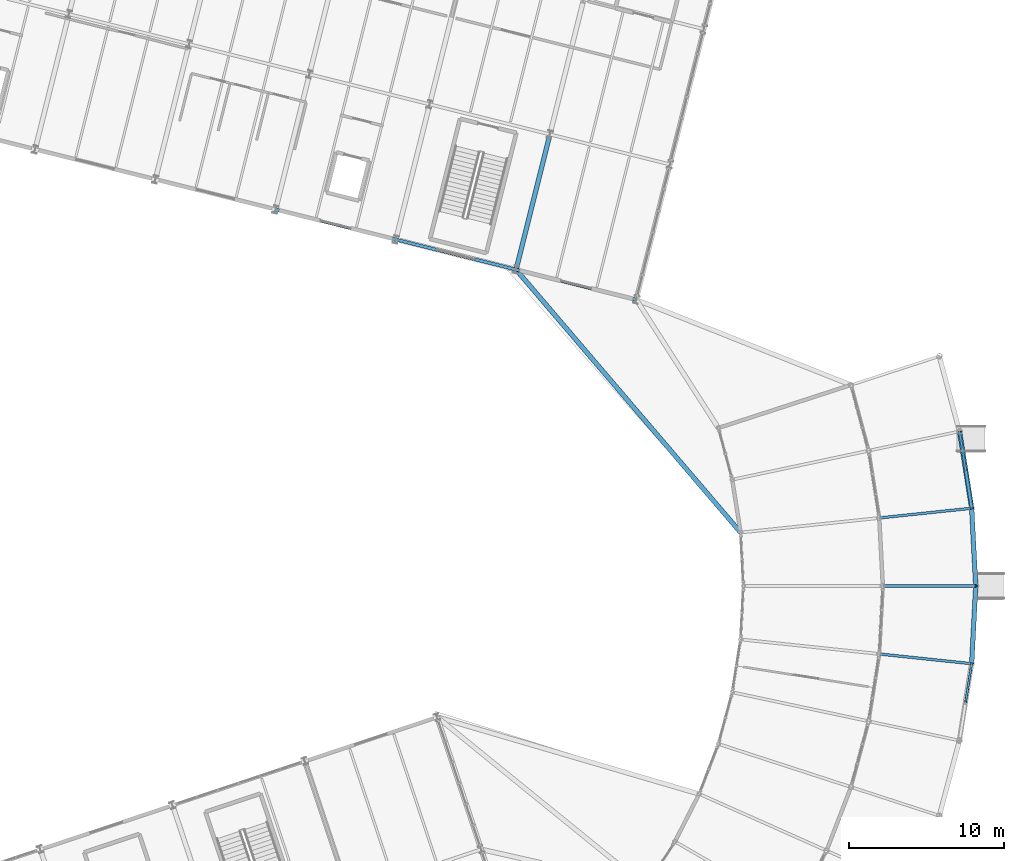
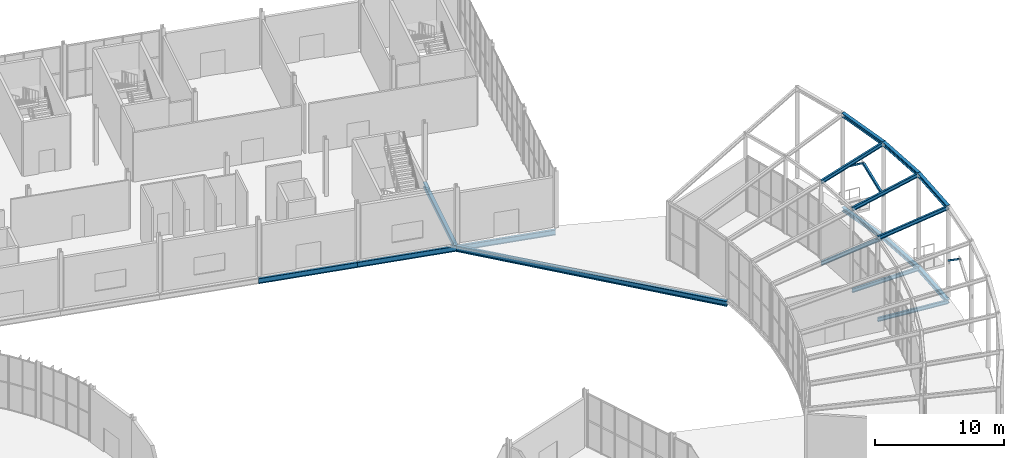
# One storey, part 94 of 158: 17 beams, 3 members.
"""IFC4 building model written with IfcOpenShell, lengths in metres."""

import ifcopenshell
import ifcopenshell.guid

model = None  # the IFC model being written
_history = None  # IfcOwnerHistory: only IFC2X3 demands one
_inside = {}  # id of a spatial element -> (the spatial element, [elements in it])
_under = {}  # id of a project, library or spatial element -> (it, [spatial elements below it])
_declared = {}  # id of a project -> (the project, [libraries it declares])
_typed = {}  # id of a type object -> (the type object, [elements of that type])
_made_of = {}  # id of a material, layer set ... -> (it, [elements and type objects made of it])


def new_model(schema):
    """Start an empty IFC model of exactly this schema.

    Asked for "IFC4X3", IfcOpenShell would pick the latest addendum, in which some entities
    have other attributes; the version numbers below select the first issue.
    IFC2X3 requires an IfcOwnerHistory on every rooted entity: one is made here for all.
    """
    global model, _history
    if schema == "IFC4X3":
        model = ifcopenshell.file(schema_version=(4, 3, 0, 0))
    else:
        model = ifcopenshell.file(schema=schema)
    _inside.clear()
    _under.clear()
    _declared.clear()
    _typed.clear()
    _made_of.clear()
    _history = None
    if model.schema == "IFC2X3":
        org = make("IfcOrganization", Name="unknown")
        user = make(
            "IfcPersonAndOrganization",
            ThePerson=make("IfcPerson", FamilyName="unknown"),
            TheOrganization=org,
        )
        app = make(
            "IfcApplication",
            ApplicationDeveloper=org,
            Version="unknown",
            ApplicationFullName="unknown",
            ApplicationIdentifier="unknown",
        )
        _history = make(
            "IfcOwnerHistory",
            OwningUser=user,
            OwningApplication=app,
            ChangeAction="ADDED",
            CreationDate=0,
        )
    return model


def make(cls, **values):
    """One entity of the class cls with the attributes given. An attribute that is None is left unset."""
    return model.create_entity(
        cls, **{name: value for name, value in values.items() if value is not None}
    )


def rooted(cls, **values):
    """An entity with a GlobalId (a new one), such as an element, a storey or a relation."""
    return make(cls, GlobalId=ifcopenshell.guid.new(), OwnerHistory=_history, **values)


def si_unit(unit_type, name, prefix=None):
    """IfcSIUnit, for example si_unit("LENGTHUNIT", "METRE", prefix="MILLI")."""
    return make("IfcSIUnit", UnitType=unit_type, Prefix=prefix, Name=name)


def derived_unit(unit_type, elements):
    """IfcDerivedUnit: a product of units, each with its exponent."""
    return make(
        "IfcDerivedUnit",
        Elements=[
            make("IfcDerivedUnitElement", Unit=unit, Exponent=power)
            for unit, power in elements
        ],
        UnitType=unit_type,
    )


def assignment(units):
    """IfcUnitAssignment: the units of a project."""
    return None if units is None else make("IfcUnitAssignment", Units=units)


def point(xyz):
    """IfcCartesianPoint."""
    return None if xyz is None else make("IfcCartesianPoint", Coordinates=xyz)


def direction(xyz):
    """IfcDirection."""
    return None if xyz is None else make("IfcDirection", DirectionRatios=xyz)


def frame(location, z_axis=None, x_axis=None):
    """IfcAxis2Placement3D, a coordinate frame: its origin and axes. An axis left out is left unset."""
    return make(
        "IfcAxis2Placement3D",
        Location=point(location),
        Axis=direction(z_axis),
        RefDirection=direction(x_axis),
    )


def frame_2d(location, x_axis=None):
    """IfcAxis2Placement2D, a coordinate frame in the plane: its origin and x axis."""
    return make(
        "IfcAxis2Placement2D", Location=point(location), RefDirection=direction(x_axis)
    )


def origin():
    """The frame at (0, 0, 0) with its axes left unset."""
    return frame((0.0, 0.0, 0.0))


def origin_2d():
    """The frame at (0, 0) in the plane with its x axis left unset."""
    return frame_2d((0.0, 0.0))


def place(relative_to, where):
    """IfcLocalPlacement: puts the frame where relative to a parent placement (None: the world)."""
    return make(
        "IfcLocalPlacement", PlacementRelTo=relative_to, RelativePlacement=where
    )


def context(
    kind, dimensions, precision=None, world=None, true_north=None, identifier=None
):
    """IfcGeometricRepresentationContext, for example the 3D "Model" context."""
    return make(
        "IfcGeometricRepresentationContext",
        ContextIdentifier=identifier,
        ContextType=kind,
        CoordinateSpaceDimension=dimensions,
        Precision=precision,
        WorldCoordinateSystem=world,
        TrueNorth=true_north,
    )


def subcontext(parent, identifier, kind, view, scale=None):
    """IfcGeometricRepresentationSubContext, for example "Body" below "Model"."""
    return make(
        "IfcGeometricRepresentationSubContext",
        ContextIdentifier=identifier,
        ContextType=kind,
        ParentContext=parent,
        TargetScale=scale,
        TargetView=view,
    )


def project(units=None, contexts=None):
    """IfcProject with its units and contexts."""
    return rooted(
        "IfcProject",
        Name="project",
        RepresentationContexts=contexts,
        UnitsInContext=assignment(units),
    )


def spatial(cls, under=None, at=None, **own):
    """A site, building, storey or space (cls), placed at a placement, below another one or the project."""
    s = rooted(cls, ObjectPlacement=at, **own)
    if under is not None:
        _under.setdefault(under.id(), (under, []))[1].append(s)
    return s


def profile(cls, at=None, kind="AREA", **sizes):
    """A parametric profile (cls). Its sizes go by their IFC names, for example OverallWidth=200.0."""
    return make(cls, ProfileType=kind, Position=at, **sizes)


def hollow_rectangle(**sizes):
    """IfcRectangleHollowProfileDef."""
    return profile("IfcRectangleHollowProfileDef", **sizes)


def i_section(**sizes):
    """IfcIShapeProfileDef."""
    return profile("IfcIShapeProfileDef", **sizes)


def extrude(swept, where, along, depth):
    """IfcExtrudedAreaSolid: the profile swept, set in the frame where, extruded along a direction by depth."""
    return make(
        "IfcExtrudedAreaSolid",
        SweptArea=swept,
        Position=where,
        ExtrudedDirection=direction(along),
        Depth=depth,
    )


def shape(context_of_items, identifier, shape_type, items):
    """IfcShapeRepresentation: the items that make up one representation, for example the "Body"."""
    return make(
        "IfcShapeRepresentation",
        ContextOfItems=context_of_items,
        RepresentationIdentifier=identifier,
        RepresentationType=shape_type,
        Items=items,
    )


def material(Name=None, Category=None):
    """IfcMaterial."""
    return make("IfcMaterial", Name=Name, Category=Category)


def material_profile(
    of_material, cross_section, Name=None, Category=None, Priority=None
):
    """IfcMaterialProfile: a cross section and its material."""
    return make(
        "IfcMaterialProfile",
        Name=Name,
        Material=of_material,
        Profile=cross_section,
        Priority=Priority,
        Category=Category,
    )


def profile_set(profiles, Name=None, composite=None):
    """IfcMaterialProfileSet."""
    return make(
        "IfcMaterialProfileSet",
        Name=Name,
        MaterialProfiles=profiles,
        CompositeProfile=composite,
    )


def made_of(thing, what):
    """Note that an element or type object is made of a material, layer set ...; save() writes the relation."""
    if what is not None:
        _made_of.setdefault(what.id(), (what, []))[1].append(thing)
    return thing


def type_object(cls, material=None, **own):
    """A type object (cls), such as IfcWallType, which elements share."""
    return made_of(rooted(cls, **own), material)


def element(
    cls,
    number,
    at=None,
    inside=None,
    cuts=None,
    type_object=None,
    material=None,
    context=None,
    identifier="Body",
    shape_type=None,
    held_by="IfcProductDefinitionShape",
    body=None,
    shapes=None,
    **own,
):
    """One element of the class cls, such as IfcWall. Its Tag is "e" and its number.

    at: its placement. inside: the storey or other place that contains it. cuts: it is an
    opening in that element (IfcRelVoidsElement). A single representation is given by context,
    identifier, shape_type and body (its items); several are given by shapes. held_by: the class
    of the entity that holds the representations. save() writes the other relations.
    """
    e = rooted(cls, Tag="e%d" % number, ObjectPlacement=at, **own)
    if body is not None:
        shapes = [shape(context, identifier, shape_type, body)]
    if shapes is not None:
        e.Representation = make(held_by, Representations=shapes)
    if inside is not None:
        _inside.setdefault(inside.id(), (inside, []))[1].append(e)
    if cuts is not None:
        rooted(
            "IfcRelVoidsElement", RelatingBuildingElement=cuts, RelatedOpeningElement=e
        )
    if type_object is not None:
        _typed.setdefault(type_object.id(), (type_object, []))[1].append(e)
    return made_of(e, material)


def aggregate(whole, parts):
    """IfcRelAggregates: a whole, such as a stair, and the parts it consists of."""
    return rooted("IfcRelAggregates", RelatingObject=whole, RelatedObjects=parts)


def save(model, path):
    """Write the relations noted so far, then the file.

    IfcRelAggregates (storeys below a building ...), IfcRelContainedInSpatialStructure (elements
    in a storey), IfcRelDefinesByType, IfcRelAssociatesMaterial and IfcRelDeclares: one each for
    every whole, place, type object, material and project.
    """
    for whole, parts in _under.values():
        aggregate(whole, parts)
    for where, things in _inside.values():
        rooted(
            "IfcRelContainedInSpatialStructure",
            RelatedElements=things,
            RelatingStructure=where,
        )
    for kind, things in _typed.values():
        rooted("IfcRelDefinesByType", RelatedObjects=things, RelatingType=kind)
    for what, things in _made_of.values():
        rooted("IfcRelAssociatesMaterial", RelatedObjects=things, RelatingMaterial=what)
    for by, libraries in _declared.values():
        rooted("IfcRelDeclares", RelatingContext=by, RelatedDefinitions=libraries)
    model.write(path)


model = new_model("IFC4")

# Units and contexts
model_context = context("Model", 3, precision=1e-05, world=origin(), true_north=direction((0.0, 1.0)))
body_context = subcontext(model_context, "Body", "Model", "MODEL_VIEW")
ifc_project = project(units=[si_unit("LENGTHUNIT", "METRE"), si_unit("AREAUNIT", "SQUARE_METRE"), si_unit("VOLUMEUNIT", "CUBIC_METRE"), si_unit("PLANEANGLEUNIT", "RADIAN"), si_unit("MASSUNIT", "GRAM", prefix="KILO"), si_unit("THERMODYNAMICTEMPERATUREUNIT", "KELVIN"), si_unit("TIMEUNIT", "SECOND"), derived_unit("THERMALTRANSMITTANCEUNIT", [(si_unit("MASSUNIT", "GRAM", prefix="KILO"), 1), (si_unit("THERMODYNAMICTEMPERATUREUNIT", "KELVIN"), -1), (si_unit("TIMEUNIT", "SECOND"), -3)])], contexts=[model_context])

# Site, building, storey
site_placement = place(None, origin())
site = spatial("IfcSite", under=ifc_project, at=site_placement, CompositionType="ELEMENT")
building_placement = place(site_placement, origin())
building = spatial("IfcBuilding", under=site, at=building_placement, Name="Cambertide Market Hall", CompositionType="ELEMENT")
storey_placement = place(building_placement, origin())
storey = spatial("IfcBuildingStorey", under=building, at=storey_placement, Name="L01", CompositionType="ELEMENT", Elevation=0.0)

# Beams
ifc_material_1 = material(Name="Steel S355", Category="steel")
ifc_material_profile_1 = material_profile(ifc_material_1, i_section(OverallWidth=0.300048828125, OverallDepth=0.360107421875, WebThickness=0.012451171875, FlangeThickness=0.0224609375, FilletRadius=0.027099609375, at=origin_2d()), Name="HEB 360")
ifc_profile_set_1 = profile_set([ifc_material_profile_1], Name="Steel S355")
beam_type_1 = type_object("IfcBeamType", Name="Exterior Steel Girder HEB 360", PredefinedType="BEAM", material=ifc_profile_set_1)
for number, where, z_axis, x_axis, name in (
    (1, (191.737060546875, 60.982666015625, 8.449951171875), (0.052334392351, 0.998629616713, 0.0), (-0.998629616713, 0.052334392351, 0.0), "Level 1 Beam BM-V5C-CAN-OUT-6"),
    (2, (192.0, 66.0, 8.449951171875), (-0.052334392351, 0.998629616713, 0.0), (-0.998629616713, -0.052334392351, 0.0), "Level 1 Beam BM-V5C-CAN-OUT-7"),
    (3, (191.737060546875, 71.017333984375, 8.449951171875), (-0.156419194793, 0.987690759044, 0.0), (-0.987690759044, -0.156419194793, 0.0), "Level 1 Beam BM-V5C-CAN-OUT-8"),
):
    element("IfcBeam", number, at=place(storey_placement, frame(where, z_axis=z_axis, x_axis=x_axis)), inside=storey, type_object=beam_type_1, Name=name, PredefinedType="BEAM", context=body_context, shape_type="SweptSolid", body=[
        extrude(i_section(OverallWidth=0.300048828125, OverallDepth=0.360107421875, WebThickness=0.012451171875, FlangeThickness=0.0224609375, FilletRadius=0.027099609375, at=origin_2d()), origin(), (0.0, 0.0, 1.0), 5.024169921875),
    ])
ifc_material_2 = material(Name="Steel S355", Category="steel")
ifc_material_profile_2 = material_profile(ifc_material_2, i_section(OverallWidth=0.300048828125, OverallDepth=0.5, WebThickness=0.014404296875, FlangeThickness=0.028076171875, FilletRadius=0.027099609375, at=origin_2d()), Name="HEB 500")
ifc_profile_set_2 = profile_set([ifc_material_profile_2], Name="Steel S355")
beam_type_2 = type_object("IfcBeamType", Name="Exterior Steel Girder HEB 500", PredefinedType="BEAM", material=ifc_profile_set_2)
beam_1_placement = place(storey_placement, frame((162.327880859375, 86.41796875, -0.544921875), z_axis=(0.649421668254, -0.760428495522, 0.0), x_axis=(0.760428495522, 0.649421668254, 0.0)))
element("IfcBeam", 4, at=beam_1_placement, inside=storey, type_object=beam_type_2, Name="Level 1 Beam TIE-V4V5-2", PredefinedType="BEAM", context=body_context, shape_type="SweptSolid", body=[
    extrude(i_section(OverallWidth=0.300048828125, OverallDepth=0.5, WebThickness=0.014404296875, FlangeThickness=0.028076171875, FilletRadius=0.027099609375, at=origin_2d()), origin(), (0.0, 0.0, 1.0), 22.314453125),
])
ifc_material_3 = material(Name="Steel S355", Category="steel")
ifc_material_profile_3 = material_profile(ifc_material_3, i_section(OverallWidth=0.169921875, OverallDepth=0.360107421875, WebThickness=0.008056640625, FlangeThickness=0.0126953125, FilletRadius=0.01806640625, at=origin_2d()), Name="IPE 360")
ifc_profile_set_3 = profile_set([ifc_material_profile_3], Name="Steel S355")
beam_type_3 = type_object("IfcBeamType", Name="Exterior Steel Girder IPE 360", PredefinedType="BEAM", material=ifc_profile_set_3)
for number, where, z_axis, x_axis, name in (
    (5, (185.77001953125, 61.60986328125, 7.22998046875), (0.974578975815, -0.102438254935, 0.199254168903), (0.104534394972, 0.994521271903, 0.0), "BM-V5R2-CAN-6"),
    (6, (186.0, 66.0, 7.22998046875), (0.979948408337, 0.0, 0.199251391458), (0.0, 1.0, 0.0), "BM-V5R2-CAN-7"),
    (7, (185.77001953125, 70.39013671875, 7.22998046875), (0.974578975815, 0.102438254935, 0.199254168903), (-0.104534394972, 0.994521271903, 0.0), "BM-V5R2-CAN-8"),
):
    element("IfcBeam", number, at=place(storey_placement, frame(where, z_axis=z_axis, x_axis=x_axis)), inside=storey, type_object=beam_type_3, Name=name, PredefinedType="BEAM", context=body_context, shape_type="SweptSolid", body=[
        extrude(i_section(OverallWidth=0.169921875, OverallDepth=0.360107421875, WebThickness=0.008056640625, FlangeThickness=0.0126953125, FilletRadius=0.01806640625, at=origin_2d()), origin(), (0.0, 0.0, 1.0), 6.122802734375),
    ])
ifc_material_4 = material(Name="Steel S355", Category="steel")
ifc_material_profile_4 = material_profile(ifc_material_4, i_section(OverallWidth=0.300048828125, OverallDepth=0.360107421875, WebThickness=0.012451171875, FlangeThickness=0.0224609375, FilletRadius=0.027099609375, at=origin_2d()), Name="HEB 360")
ifc_profile_set_4 = profile_set([ifc_material_profile_4], Name="Steel S355")
beam_type_4 = type_object("IfcBeamType", Name="Steel Girder HEB 360", PredefinedType="BEAM", material=ifc_profile_set_4)
for number, where, z_axis, x_axis, name in (
    (8, (191.737060546875, 60.982666015625, -0.47998046875), (0.052334392351, 0.998629616713, 0.0), (-0.998629616713, 0.052334392351, 0.0), "Level 1 Beam BM-V5C-FLR-OUT-6"),
    (9, (192.0, 66.0, -0.47998046875), (-0.052334392351, 0.998629616713, 0.0), (-0.998629616713, -0.052334392351, 0.0), "Level 1 Beam BM-V5C-FLR-OUT-7"),
    (10, (191.737060546875, 71.017333984375, -0.47998046875), (-0.156419194793, 0.987690759044, 0.0), (-0.987690759044, -0.156419194793, 0.0), "Level 1 Beam BM-V5C-FLR-OUT-8"),
):
    element("IfcBeam", number, at=place(storey_placement, frame(where, z_axis=z_axis, x_axis=x_axis)), inside=storey, type_object=beam_type_4, Name=name, PredefinedType="BEAM", context=body_context, shape_type="SweptSolid", body=[
        extrude(i_section(OverallWidth=0.300048828125, OverallDepth=0.360107421875, WebThickness=0.012451171875, FlangeThickness=0.0224609375, FilletRadius=0.027099609375, at=origin_2d()), origin(), (0.0, 0.0, 1.0), 5.024169921875),
    ])
ifc_material_5 = material(Name="Steel S355", Category="steel")
ifc_material_profile_5 = material_profile(ifc_material_5, i_section(OverallWidth=0.300048828125, OverallDepth=0.449951171875, WebThickness=0.013916015625, FlangeThickness=0.02587890625, FilletRadius=0.027099609375, at=origin_2d()), Name="HEB 450")
ifc_profile_set_5 = profile_set([ifc_material_profile_5], Name="Steel S355")
beam_type_5 = type_object("IfcBeamType", Name="Steel Girder HEB 450", PredefinedType="BEAM", material=ifc_profile_set_5)
beam_2_placement = place(storey_placement, frame((162.327880859375, 86.41796875, -0.52490234375), z_axis=(0.242542007841, 0.970140904422, 0.0), x_axis=(-0.970140904422, 0.242542007841, 0.0)))
element("IfcBeam", 11, at=beam_2_placement, inside=storey, type_object=beam_type_5, Name="Level 1 Beam BM-V4V-L01-8-1", PredefinedType="BEAM", context=body_context, shape_type="SweptSolid", body=[
    extrude(i_section(OverallWidth=0.300048828125, OverallDepth=0.449951171875, WebThickness=0.013916015625, FlangeThickness=0.02587890625, FilletRadius=0.027099609375, at=origin_2d()), origin(), (0.0, 0.0, 1.0), 9.0),
])
ifc_material_6 = material(Name="Steel S355", Category="steel")
ifc_material_profile_6 = material_profile(ifc_material_6, i_section(OverallWidth=0.169921875, OverallDepth=0.360107421875, WebThickness=0.008056640625, FlangeThickness=0.0126953125, FilletRadius=0.01806640625, at=origin_2d()), Name="IPE 360")
ifc_profile_set_6 = profile_set([ifc_material_profile_6], Name="Steel S355")
beam_type_6 = type_object("IfcBeamType", Name="Steel Girder IPE 360", PredefinedType="BEAM", material=ifc_profile_set_6)
for number, where, z_axis, x_axis, name in (
    (12, (185.77001953125, 61.60986328125, -0.47998046875), (0.994521271903, -0.104534394972, 0.0), (0.104534394972, 0.994521271903, 0.0), "Level 1 Beam BM-V5R2-FLR-6"),
    (13, (186.0, 66.0, -0.47998046875), (1.0, 0.0, 0.0), (0.0, 1.0, 0.0), "Level 1 Beam BM-V5R2-FLR-7"),
    (14, (185.77001953125, 70.39013671875, -0.47998046875), (0.994521271903, 0.104534394972, 0.0), (-0.104534394972, 0.994521271903, 0.0), "Level 1 Beam BM-V5R2-FLR-8"),
):
    element("IfcBeam", number, at=place(storey_placement, frame(where, z_axis=z_axis, x_axis=x_axis)), inside=storey, type_object=beam_type_6, Name=name, PredefinedType="BEAM", context=body_context, shape_type="SweptSolid", body=[
        extrude(i_section(OverallWidth=0.169921875, OverallDepth=0.360107421875, WebThickness=0.008056640625, FlangeThickness=0.0126953125, FilletRadius=0.01806640625, at=origin_2d()), origin(), (0.0, 0.0, 1.0), 6.0),
    ])
ifc_material_7 = material(Name="Steel S355", Category="steel")
ifc_material_profile_7 = material_profile(ifc_material_7, i_section(OverallWidth=0.199951171875, OverallDepth=0.5, WebThickness=0.01025390625, FlangeThickness=0.01611328125, FilletRadius=0.02099609375, at=origin_2d()), Name="IPE 500")
ifc_profile_set_7 = profile_set([ifc_material_profile_7], Name="Steel S355")
beam_type_7 = type_object("IfcBeamType", Name="Steel Girder IPE 500", PredefinedType="BEAM", material=ifc_profile_set_7)
for number, where, z_axis, x_axis, name in (
    (15, (146.8056640625, 90.298583984375, -0.550048828125), (0.970146090314, -0.242521263911, 0.0), (0.242521263911, 0.970146090314, 0.0), "Level 1 Beam BM-V4U-L01-6-1"),
    (16, (154.56689453125, 88.3583984375, -0.550048828125), (0.970137114374, -0.242557167103, 0.0), (0.242557167103, 0.970137114374, 0.0), "Level 1 Beam BM-V4U-L01-7-1"),
    (17, (162.327880859375, 86.41796875, -0.550048828125), (0.970146090314, -0.242521263911, 0.0), (0.242521263911, 0.970146090314, 0.0), "Level 1 Beam BM-V4U-L01-8-1"),
):
    element("IfcBeam", number, at=place(storey_placement, frame(where, z_axis=z_axis, x_axis=x_axis)), inside=storey, type_object=beam_type_7, Name=name, PredefinedType="BEAM", context=body_context, shape_type="SweptSolid", body=[
        extrude(i_section(OverallWidth=0.199951171875, OverallDepth=0.5, WebThickness=0.01025390625, FlangeThickness=0.01611328125, FilletRadius=0.02099609375, at=origin_2d()), origin(), (0.0, 0.0, 1.0), 8.0),
    ])

# Members
ifc_material_8 = material(Name="Steel S275", Category="steel")
ifc_material_profile_8 = material_profile(ifc_material_8, hollow_rectangle(XDim=0.14990234375, YDim=0.14990234375, WallThickness=0.00634765625, InnerFilletRadius=0.00634765625, OuterFilletRadius=0.0126953125, at=origin_2d()), Name="SHS 150x150x6.3")
ifc_profile_set_8 = profile_set([ifc_material_profile_8], Name="Steel S275")
member_type_1 = type_object("IfcMemberType", Name="Structural Brace SHS 150x150x6.3", PredefinedType="BRACE", material=ifc_profile_set_8)
member_1_placement = place(storey_placement, frame((191.737060546875, 60.982666015625, 3.39990234375), z_axis=(-0.127186401991, -0.802854287847, 0.582450522906), x_axis=(0.987683250727, -0.156466597822, 0.0)))
element("IfcMember", 18, at=member_1_placement, inside=storey, type_object=member_type_1, Name="PBR-V5-8-B", PredefinedType="BRACE", context=body_context, shape_type="SweptSolid", body=[
    extrude(hollow_rectangle(XDim=0.14990234375, YDim=0.14990234375, WallThickness=0.00634765625, InnerFilletRadius=0.00634765625, OuterFilletRadius=0.0126953125, at=origin_2d()), origin(), (0.0, 0.0, 1.0), 3.090576171875),
])
member_2_placement = place(storey_placement, frame((190.951171875, 75.979736328125, 3.39990234375), z_axis=(0.127108680953, -0.802862352095, 0.582456373315), x_axis=(0.9876982652, 0.156371790683, 0.0)))
element("IfcMember", 19, at=member_2_placement, inside=storey, type_object=member_type_1, Name="PBR-V5-14-B", PredefinedType="BRACE", context=body_context, shape_type="SweptSolid", body=[
    extrude(hollow_rectangle(XDim=0.14990234375, YDim=0.14990234375, WallThickness=0.00634765625, InnerFilletRadius=0.00634765625, OuterFilletRadius=0.0126953125, at=origin_2d()), origin(), (0.0, 0.0, 1.0), 3.09033203125),
])
ifc_material_9 = material(Name="Steel S355", Category="steel")
ifc_material_profile_9 = material_profile(ifc_material_9, hollow_rectangle(XDim=0.199951171875, YDim=0.199951171875, WallThickness=0.008056640625, InnerFilletRadius=0.008056640625, OuterFilletRadius=0.01611328125, at=origin_2d()), Name="SHS 200x200x8")
ifc_profile_set_9 = profile_set([ifc_material_profile_9], Name="Steel S355")
member_type_2 = type_object("IfcMemberType", Name="Structural Brace SHS 200x200x8", PredefinedType="BRACE", material=ifc_profile_set_9)
member_3_placement = place(storey_placement, frame((191.737060546875, 71.017333984375, 3.39990234375), z_axis=(-0.127186401991, 0.802854287847, 0.582450522906), x_axis=(-0.987683250727, -0.156466597822, 0.0)))
element("IfcMember", 20, at=member_3_placement, inside=storey, type_object=member_type_2, Name="PBR-V5-14-A", PredefinedType="BRACE", context=body_context, shape_type="SweptSolid", body=[
    extrude(hollow_rectangle(XDim=0.199951171875, YDim=0.199951171875, WallThickness=0.008056640625, InnerFilletRadius=0.008056640625, OuterFilletRadius=0.01611328125, at=origin_2d()), origin(), (0.0, 0.0, 1.0), 3.090576171875),
])

save(model, "model.ifc")
